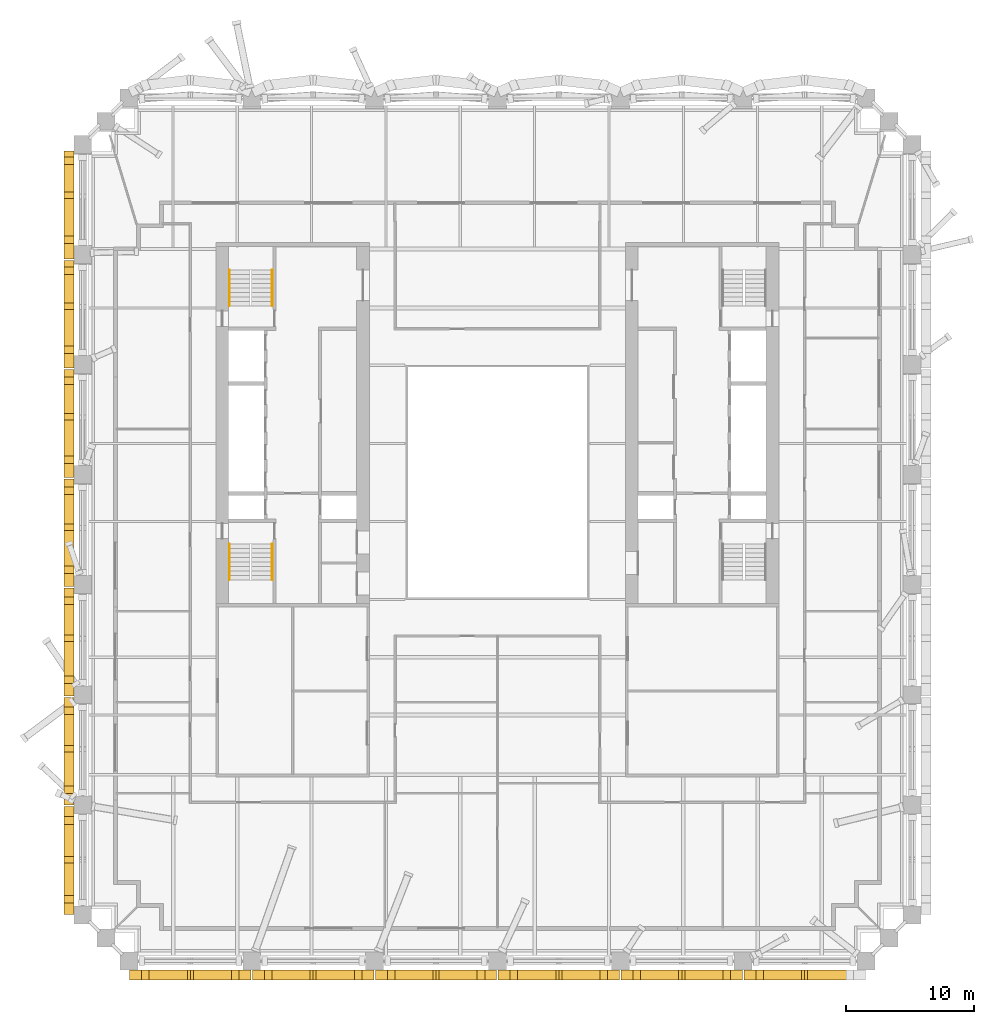
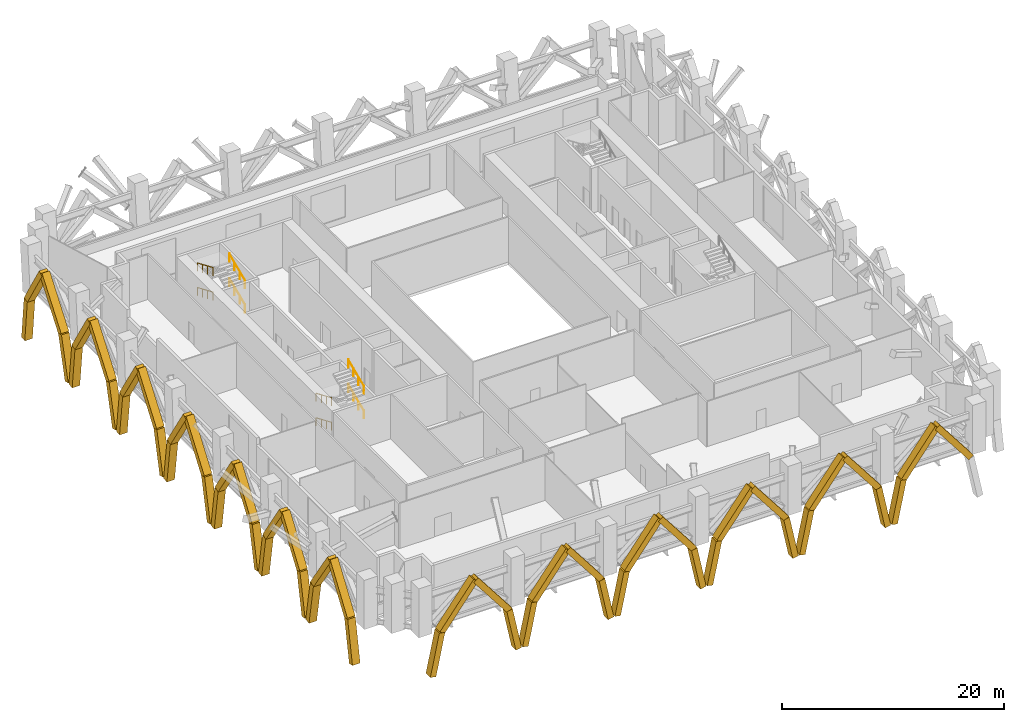
# One storey, part 17 of 19: 51 coverings, 8 railings.
"""IFC4 building model written with IfcOpenShell, lengths in metres."""

from ifc_helpers import new_model, si_unit, direction, frame, origin, origin_2d, place, context, subcontext, project, spatial, rectangle, circle, extrude, material, material_profile, profile_set, type_object, element, save


model = new_model("IFC4")

# Units and contexts
model_context = context("Model", 3, precision=1e-05, world=origin(), true_north=direction((0.0, 1.0)))
body_context = subcontext(model_context, "Body", "Model", "MODEL_VIEW")
ifc_project = project(units=[si_unit("LENGTHUNIT", "METRE"), si_unit("AREAUNIT", "SQUARE_METRE"), si_unit("VOLUMEUNIT", "CUBIC_METRE"), si_unit("PLANEANGLEUNIT", "RADIAN"), si_unit("MASSUNIT", "GRAM", prefix="KILO")], contexts=[model_context])

# Site, building, storey
site_placement = place(None, origin())
site = spatial("IfcSite", under=ifc_project, at=site_placement, CompositionType="ELEMENT")
building_placement = place(site_placement, origin())
building = spatial("IfcBuilding", under=site, at=building_placement, Name="Ogive Exchange Tower", CompositionType="ELEMENT")
storey_placement = place(building_placement, frame((0.0, 0.0, 94.199951171875)))
storey = spatial("IfcBuildingStorey", under=building, at=storey_placement, Name="L20", CompositionType="ELEMENT", Elevation=94.199951171875)

# Coverings
ifc_material_1 = material(Name="Precast concrete C50/60", Category="concrete")
ifc_material_profile = material_profile(ifc_material_1, rectangle(XDim=0.800048828125, YDim=0.60009765625, at=origin_2d()), Name="RIB 800 x 600")
ifc_profile_set = profile_set([ifc_material_profile], Name="Precast concrete C50/60")
covering_type = type_object("IfcCoveringType", Name="Precast tracery rib 800 x 600 C50/60", PredefinedType="CLADDING", material=ifc_profile_set)
covering_1_placement = place(storey_placement, frame((-28.449951171875, -31.47998046875, -4.199951171875), z_axis=(0.201500178347, 0.0, 0.979488477791), x_axis=(0.0, 1.0, 0.0)))
element("IfcCovering", 1, at=covering_1_placement, inside=storey, type_object=covering_type, Name="Tracery rib 1a", PredefinedType="CLADDING", context=body_context, shape_type="SweptSolid", body=[
    extrude(rectangle(XDim=0.800048828125, YDim=0.60009765625, at=origin_2d()), origin(), (0.0, 0.0, 1.0), 4.645263671875),
])
covering_2_placement = place(storey_placement, frame((-27.513916015625, -31.47998046875, 0.35009765625), z_axis=(0.611226297633, 0.0, 0.791455881955), x_axis=(0.0, 1.0, 0.0)))
element("IfcCovering", 2, at=covering_2_placement, inside=storey, type_object=covering_type, Name="Tracery rib 1a", PredefinedType="CLADDING", context=body_context, shape_type="SweptSolid", body=[
    extrude(rectangle(XDim=0.800048828125, YDim=0.60009765625, at=origin_2d()), origin(), (0.0, 0.0, 1.0), 5.7490234375),
])
covering_3_placement = place(storey_placement, frame((-19.550048828125, -31.47998046875, -4.199951171875), z_axis=(-0.201500178347, 0.0, 0.979488477791), x_axis=(0.0, -1.0, 0.0)))
element("IfcCovering", 3, at=covering_3_placement, inside=storey, type_object=covering_type, Name="Tracery rib 1b", PredefinedType="CLADDING", context=body_context, shape_type="SweptSolid", body=[
    extrude(rectangle(XDim=0.800048828125, YDim=0.60009765625, at=origin_2d()), origin(), (0.0, 0.0, 1.0), 4.645263671875),
])
covering_4_placement = place(storey_placement, frame((-20.486083984375, -31.47998046875, 0.35009765625), z_axis=(-0.611226297633, 0.0, 0.791455881955), x_axis=(0.0, -1.0, 0.0)))
element("IfcCovering", 4, at=covering_4_placement, inside=storey, type_object=covering_type, Name="Tracery rib 1b", PredefinedType="CLADDING", context=body_context, shape_type="SweptSolid", body=[
    extrude(rectangle(XDim=0.800048828125, YDim=0.60009765625, at=origin_2d()), origin(), (0.0, 0.0, 1.0), 5.7490234375),
])
covering_5_placement = place(storey_placement, frame((-18.85009765625, -31.47998046875, -4.199951171875), z_axis=(0.201500178347, 0.0, 0.979488477791), x_axis=(0.0, 1.0, 0.0)))
element("IfcCovering", 5, at=covering_5_placement, inside=storey, type_object=covering_type, Name="Tracery rib 2a", PredefinedType="CLADDING", context=body_context, shape_type="SweptSolid", body=[
    extrude(rectangle(XDim=0.800048828125, YDim=0.60009765625, at=origin_2d()), origin(), (0.0, 0.0, 1.0), 4.645263671875),
])
covering_6_placement = place(storey_placement, frame((-17.9140625, -31.47998046875, 0.35009765625), z_axis=(0.611252897975, 0.0, 0.791435338305), x_axis=(0.0, 1.0, 0.0)))
element("IfcCovering", 6, at=covering_6_placement, inside=storey, type_object=covering_type, Name="Tracery rib 2a", PredefinedType="CLADDING", context=body_context, shape_type="SweptSolid", body=[
    extrude(rectangle(XDim=0.800048828125, YDim=0.60009765625, at=origin_2d()), origin(), (0.0, 0.0, 1.0), 5.7490234375),
])
covering_7_placement = place(storey_placement, frame((-9.949951171875, -31.47998046875, -4.199951171875), z_axis=(-0.201500178347, 0.0, 0.979488477791), x_axis=(0.0, -1.0, 0.0)))
element("IfcCovering", 7, at=covering_7_placement, inside=storey, type_object=covering_type, Name="Tracery rib 2b", PredefinedType="CLADDING", context=body_context, shape_type="SweptSolid", body=[
    extrude(rectangle(XDim=0.800048828125, YDim=0.60009765625, at=origin_2d()), origin(), (0.0, 0.0, 1.0), 4.645263671875),
])
covering_8_placement = place(storey_placement, frame((-10.885986328125, -31.47998046875, 0.35009765625), z_axis=(-0.611226297633, 0.0, 0.791455881955), x_axis=(0.0, -1.0, 0.0)))
element("IfcCovering", 8, at=covering_8_placement, inside=storey, type_object=covering_type, Name="Tracery rib 2b", PredefinedType="CLADDING", context=body_context, shape_type="SweptSolid", body=[
    extrude(rectangle(XDim=0.800048828125, YDim=0.60009765625, at=origin_2d()), origin(), (0.0, 0.0, 1.0), 5.7490234375),
])
covering_9_placement = place(storey_placement, frame((-9.25, -31.47998046875, -4.199951171875), z_axis=(0.201500178347, 0.0, 0.979488477791), x_axis=(0.0, 1.0, 0.0)))
element("IfcCovering", 9, at=covering_9_placement, inside=storey, type_object=covering_type, Name="Tracery rib 3a", PredefinedType="CLADDING", context=body_context, shape_type="SweptSolid", body=[
    extrude(rectangle(XDim=0.800048828125, YDim=0.60009765625, at=origin_2d()), origin(), (0.0, 0.0, 1.0), 4.645263671875),
])
covering_10_placement = place(storey_placement, frame((-8.31396484375, -31.47998046875, 0.35009765625), z_axis=(0.611226297633, 0.0, 0.791455881955), x_axis=(0.0, 1.0, 0.0)))
element("IfcCovering", 10, at=covering_10_placement, inside=storey, type_object=covering_type, Name="Tracery rib 3a", PredefinedType="CLADDING", context=body_context, shape_type="SweptSolid", body=[
    extrude(rectangle(XDim=0.800048828125, YDim=0.60009765625, at=origin_2d()), origin(), (0.0, 0.0, 1.0), 5.7490234375),
])
covering_11_placement = place(storey_placement, frame((-0.35009765625, -31.47998046875, -4.199951171875), z_axis=(-0.201449755323, 0.0, 0.979498849453), x_axis=(0.0, -1.0, 0.0)))
element("IfcCovering", 11, at=covering_11_placement, inside=storey, type_object=covering_type, Name="Tracery rib 3b", PredefinedType="CLADDING", context=body_context, shape_type="SweptSolid", body=[
    extrude(rectangle(XDim=0.800048828125, YDim=0.60009765625, at=origin_2d()), origin(), (0.0, 0.0, 1.0), 4.645263671875),
])
covering_12_placement = place(storey_placement, frame((-1.285888671875, -31.47998046875, 0.35009765625), z_axis=(-0.611252897975, 0.0, 0.791435338305), x_axis=(0.0, -1.0, 0.0)))
element("IfcCovering", 12, at=covering_12_placement, inside=storey, type_object=covering_type, Name="Tracery rib 3b", PredefinedType="CLADDING", context=body_context, shape_type="SweptSolid", body=[
    extrude(rectangle(XDim=0.800048828125, YDim=0.60009765625, at=origin_2d()), origin(), (0.0, 0.0, 1.0), 5.7490234375),
])
covering_13_placement = place(storey_placement, frame((0.35009765625, -31.47998046875, -4.199951171875), z_axis=(0.201449755323, 0.0, 0.979498849453), x_axis=(0.0, 1.0, 0.0)))
element("IfcCovering", 13, at=covering_13_placement, inside=storey, type_object=covering_type, Name="Tracery rib 4a", PredefinedType="CLADDING", context=body_context, shape_type="SweptSolid", body=[
    extrude(rectangle(XDim=0.800048828125, YDim=0.60009765625, at=origin_2d()), origin(), (0.0, 0.0, 1.0), 4.645263671875),
])
covering_14_placement = place(storey_placement, frame((1.285888671875, -31.47998046875, 0.35009765625), z_axis=(0.611252897975, 0.0, 0.791435338305), x_axis=(0.0, 1.0, 0.0)))
element("IfcCovering", 14, at=covering_14_placement, inside=storey, type_object=covering_type, Name="Tracery rib 4a", PredefinedType="CLADDING", context=body_context, shape_type="SweptSolid", body=[
    extrude(rectangle(XDim=0.800048828125, YDim=0.60009765625, at=origin_2d()), origin(), (0.0, 0.0, 1.0), 5.7490234375),
])
covering_15_placement = place(storey_placement, frame((9.25, -31.47998046875, -4.199951171875), z_axis=(-0.201500178347, 0.0, 0.979488477791), x_axis=(0.0, -1.0, 0.0)))
element("IfcCovering", 15, at=covering_15_placement, inside=storey, type_object=covering_type, Name="Tracery rib 4b", PredefinedType="CLADDING", context=body_context, shape_type="SweptSolid", body=[
    extrude(rectangle(XDim=0.800048828125, YDim=0.60009765625, at=origin_2d()), origin(), (0.0, 0.0, 1.0), 4.645263671875),
])
covering_16_placement = place(storey_placement, frame((8.31396484375, -31.47998046875, 0.35009765625), z_axis=(-0.611226297633, 0.0, 0.791455881955), x_axis=(0.0, -1.0, 0.0)))
element("IfcCovering", 16, at=covering_16_placement, inside=storey, type_object=covering_type, Name="Tracery rib 4b", PredefinedType="CLADDING", context=body_context, shape_type="SweptSolid", body=[
    extrude(rectangle(XDim=0.800048828125, YDim=0.60009765625, at=origin_2d()), origin(), (0.0, 0.0, 1.0), 5.7490234375),
])
covering_17_placement = place(storey_placement, frame((9.949951171875, -31.47998046875, -4.199951171875), z_axis=(0.201500178347, 0.0, 0.979488477791), x_axis=(0.0, 1.0, 0.0)))
element("IfcCovering", 17, at=covering_17_placement, inside=storey, type_object=covering_type, Name="Tracery rib 5a", PredefinedType="CLADDING", context=body_context, shape_type="SweptSolid", body=[
    extrude(rectangle(XDim=0.800048828125, YDim=0.60009765625, at=origin_2d()), origin(), (0.0, 0.0, 1.0), 4.645263671875),
])
covering_18_placement = place(storey_placement, frame((10.885986328125, -31.47998046875, 0.35009765625), z_axis=(0.611226297633, 0.0, 0.791455881955), x_axis=(0.0, 1.0, 0.0)))
element("IfcCovering", 18, at=covering_18_placement, inside=storey, type_object=covering_type, Name="Tracery rib 5a", PredefinedType="CLADDING", context=body_context, shape_type="SweptSolid", body=[
    extrude(rectangle(XDim=0.800048828125, YDim=0.60009765625, at=origin_2d()), origin(), (0.0, 0.0, 1.0), 5.7490234375),
])
covering_19_placement = place(storey_placement, frame((18.85009765625, -31.47998046875, -4.199951171875), z_axis=(-0.201500178347, 0.0, 0.979488477791), x_axis=(0.0, -1.0, 0.0)))
element("IfcCovering", 19, at=covering_19_placement, inside=storey, type_object=covering_type, Name="Tracery rib 5b", PredefinedType="CLADDING", context=body_context, shape_type="SweptSolid", body=[
    extrude(rectangle(XDim=0.800048828125, YDim=0.60009765625, at=origin_2d()), origin(), (0.0, 0.0, 1.0), 4.645263671875),
])
covering_20_placement = place(storey_placement, frame((17.9140625, -31.47998046875, 0.35009765625), z_axis=(-0.611252897975, 0.0, 0.791435338305), x_axis=(0.0, -1.0, 0.0)))
element("IfcCovering", 20, at=covering_20_placement, inside=storey, type_object=covering_type, Name="Tracery rib 5b", PredefinedType="CLADDING", context=body_context, shape_type="SweptSolid", body=[
    extrude(rectangle(XDim=0.800048828125, YDim=0.60009765625, at=origin_2d()), origin(), (0.0, 0.0, 1.0), 5.7490234375),
])
covering_21_placement = place(storey_placement, frame((19.550048828125, -31.47998046875, -4.199951171875), z_axis=(0.201500178347, 0.0, 0.979488477791), x_axis=(0.0, 1.0, 0.0)))
element("IfcCovering", 21, at=covering_21_placement, inside=storey, type_object=covering_type, Name="Tracery rib 6a", PredefinedType="CLADDING", context=body_context, shape_type="SweptSolid", body=[
    extrude(rectangle(XDim=0.800048828125, YDim=0.60009765625, at=origin_2d()), origin(), (0.0, 0.0, 1.0), 4.645263671875),
])
for number, where, z_axis, x_axis, name in (
    (22, (20.486083984375, -31.47998046875, 0.35009765625), (0.611226297633, 0.0, 0.791455881955), (0.0, 1.0, 0.0), "Tracery rib 6a"),
    (23, (27.513916015625, -31.47998046875, 0.35009765625), (-0.611226297633, 0.0, 0.791455881955), (0.0, -1.0, 0.0), "Tracery rib 6b"),
):
    element("IfcCovering", number, at=place(storey_placement, frame(where, z_axis=z_axis, x_axis=x_axis)), inside=storey, type_object=covering_type, Name=name, PredefinedType="CLADDING", context=body_context, shape_type="SweptSolid", body=[
        extrude(rectangle(XDim=0.800048828125, YDim=0.60009765625, at=origin_2d()), origin(), (0.0, 0.0, 1.0), 5.7490234375),
    ])
covering_22_placement = place(storey_placement, frame((-33.47998046875, 32.576904296875, -4.199951171875), z_axis=(0.0, -0.097986240125, 0.995187769592), x_axis=(1.0, 0.0, 0.0)))
element("IfcCovering", 24, at=covering_22_placement, inside=storey, type_object=covering_type, Name="Tracery rib 26a", PredefinedType="CLADDING", context=body_context, shape_type="SweptSolid", body=[
    extrude(rectangle(XDim=0.800048828125, YDim=0.60009765625, at=origin_2d()), origin(), (0.0, 0.0, 1.0), 4.572021484375),
])
covering_23_placement = place(storey_placement, frame((-33.47998046875, 32.12890625, 0.35009765625), z_axis=(0.0, -0.510309513922, 0.859990813905), x_axis=(1.0, 0.0, 0.0)))
element("IfcCovering", 25, at=covering_23_placement, inside=storey, type_object=covering_type, Name="Tracery rib 26a", PredefinedType="CLADDING", context=body_context, shape_type="SweptSolid", body=[
    extrude(rectangle(XDim=0.800048828125, YDim=0.60009765625, at=origin_2d()), origin(), (0.0, 0.0, 1.0), 5.290771484375),
])
covering_24_placement = place(storey_placement, frame((-33.47998046875, 24.7451171875, -4.199951171875), z_axis=(0.0, 0.258153034575, 0.966104037224), x_axis=(-1.0, 0.0, 0.0)))
element("IfcCovering", 26, at=covering_24_placement, inside=storey, type_object=covering_type, Name="Tracery rib 26b", PredefinedType="CLADDING", context=body_context, shape_type="SweptSolid", body=[
    extrude(rectangle(XDim=0.800048828125, YDim=0.60009765625, at=origin_2d()), origin(), (0.0, 0.0, 1.0), 4.709716796875),
])
covering_25_placement = place(storey_placement, frame((-33.47998046875, 25.9609375, 0.35009765625), z_axis=(0.0, 0.60618849371, 0.79532101072), x_axis=(-1.0, 0.0, 0.0)))
element("IfcCovering", 27, at=covering_25_placement, inside=storey, type_object=covering_type, Name="Tracery rib 26b", PredefinedType="CLADDING", context=body_context, shape_type="SweptSolid", body=[
    extrude(rectangle(XDim=0.800048828125, YDim=0.60009765625, at=origin_2d()), origin(), (0.0, 0.0, 1.0), 5.720947265625),
])
covering_26_placement = place(storey_placement, frame((-33.47998046875, 24.044921875, -4.199951171875), z_axis=(0.0, -0.110706610525, 0.993853131195), x_axis=(1.0, 0.0, 0.0)))
element("IfcCovering", 28, at=covering_26_placement, inside=storey, type_object=covering_type, Name="Tracery rib 27a", PredefinedType="CLADDING", context=body_context, shape_type="SweptSolid", body=[
    extrude(rectangle(XDim=0.800048828125, YDim=0.60009765625, at=origin_2d()), origin(), (0.0, 0.0, 1.0), 4.578125),
])
covering_27_placement = place(storey_placement, frame((-33.47998046875, 23.5380859375, 0.35009765625), z_axis=(0.0, -0.518497951116, 0.855078870449), x_axis=(1.0, 0.0, 0.0)))
element("IfcCovering", 29, at=covering_27_placement, inside=storey, type_object=covering_type, Name="Tracery rib 27a", PredefinedType="CLADDING", context=body_context, shape_type="SweptSolid", body=[
    extrude(rectangle(XDim=0.800048828125, YDim=0.60009765625, at=origin_2d()), origin(), (0.0, 0.0, 1.0), 5.3212890625),
])
covering_28_placement = place(storey_placement, frame((-33.47998046875, 16.2119140625, -4.199951171875), z_axis=(0.0, 0.246436861221, 0.9691588484), x_axis=(-1.0, 0.0, 0.0)))
element("IfcCovering", 30, at=covering_28_placement, inside=storey, type_object=covering_type, Name="Tracery rib 27b", PredefinedType="CLADDING", context=body_context, shape_type="SweptSolid", body=[
    extrude(rectangle(XDim=0.800048828125, YDim=0.60009765625, at=origin_2d()), origin(), (0.0, 0.0, 1.0), 4.69482421875),
])
covering_29_placement = place(storey_placement, frame((-33.47998046875, 17.368896484375, 0.35009765625), z_axis=(0.0, 0.59973204482, 0.800200896285), x_axis=(-1.0, 0.0, 0.0)))
element("IfcCovering", 31, at=covering_29_placement, inside=storey, type_object=covering_type, Name="Tracery rib 27b", PredefinedType="CLADDING", context=body_context, shape_type="SweptSolid", body=[
    extrude(rectangle(XDim=0.800048828125, YDim=0.60009765625, at=origin_2d()), origin(), (0.0, 0.0, 1.0), 5.68603515625),
])
covering_30_placement = place(storey_placement, frame((-33.47998046875, 15.511962890625, -4.199951171875), z_axis=(0.0, -0.123425244267, 0.992353872909), x_axis=(1.0, 0.0, 0.0)))
element("IfcCovering", 32, at=covering_30_placement, inside=storey, type_object=covering_type, Name="Tracery rib 28a", PredefinedType="CLADDING", context=body_context, shape_type="SweptSolid", body=[
    extrude(rectangle(XDim=0.800048828125, YDim=0.60009765625, at=origin_2d()), origin(), (0.0, 0.0, 1.0), 4.585205078125),
])
covering_31_placement = place(storey_placement, frame((-33.47998046875, 14.946044921875, 0.35009765625), z_axis=(0.0, -0.526546188709, 0.850146523345), x_axis=(1.0, 0.0, 0.0)))
element("IfcCovering", 33, at=covering_31_placement, inside=storey, type_object=covering_type, Name="Tracery rib 28a", PredefinedType="CLADDING", context=body_context, shape_type="SweptSolid", body=[
    extrude(rectangle(XDim=0.800048828125, YDim=0.60009765625, at=origin_2d()), origin(), (0.0, 0.0, 1.0), 5.35205078125),
])
covering_32_placement = place(storey_placement, frame((-33.47998046875, 7.679931640625, -4.199951171875), z_axis=(0.0, 0.234611640374, 0.972089182226), x_axis=(-1.0, 0.0, 0.0)))
element("IfcCovering", 34, at=covering_32_placement, inside=storey, type_object=covering_type, Name="Tracery rib 28b", PredefinedType="CLADDING", context=body_context, shape_type="SweptSolid", body=[
    extrude(rectangle(XDim=0.800048828125, YDim=0.60009765625, at=origin_2d()), origin(), (0.0, 0.0, 1.0), 4.6806640625),
])
covering_33_placement = place(storey_placement, frame((-33.47998046875, 8.778076171875, 0.35009765625), z_axis=(0.0, 0.592876199846, 0.805293618288), x_axis=(-1.0, 0.0, 0.0)))
element("IfcCovering", 35, at=covering_33_placement, inside=storey, type_object=covering_type, Name="Tracery rib 28b", PredefinedType="CLADDING", context=body_context, shape_type="SweptSolid", body=[
    extrude(rectangle(XDim=0.800048828125, YDim=0.60009765625, at=origin_2d()), origin(), (0.0, 0.0, 1.0), 5.650146484375),
])
covering_34_placement = place(storey_placement, frame((-33.47998046875, 6.97998046875, -4.199951171875), z_axis=(0.0, -0.136083346246, 0.990697392181), x_axis=(1.0, 0.0, 0.0)))
element("IfcCovering", 36, at=covering_34_placement, inside=storey, type_object=covering_type, Name="Tracery rib 29a", PredefinedType="CLADDING", context=body_context, shape_type="SweptSolid", body=[
    extrude(rectangle(XDim=0.800048828125, YDim=0.60009765625, at=origin_2d()), origin(), (0.0, 0.0, 1.0), 4.5927734375),
])
covering_35_placement = place(storey_placement, frame((-33.47998046875, 6.35498046875, 0.35009765625), z_axis=(0.0, -0.534552485486, 0.845135279267), x_axis=(1.0, 0.0, 0.0)))
element("IfcCovering", 37, at=covering_35_placement, inside=storey, type_object=covering_type, Name="Tracery rib 29a", PredefinedType="CLADDING", context=body_context, shape_type="SweptSolid", body=[
    extrude(rectangle(XDim=0.800048828125, YDim=0.60009765625, at=origin_2d()), origin(), (0.0, 0.0, 1.0), 5.3837890625),
])
covering_36_placement = place(storey_placement, frame((-33.47998046875, -0.85302734375, -4.199951171875), z_axis=(0.0, 0.222631627307, 0.974902640535), x_axis=(-1.0, 0.0, 0.0)))
element("IfcCovering", 38, at=covering_36_placement, inside=storey, type_object=covering_type, Name="Tracery rib 29b", PredefinedType="CLADDING", context=body_context, shape_type="SweptSolid", body=[
    extrude(rectangle(XDim=0.800048828125, YDim=0.60009765625, at=origin_2d()), origin(), (0.0, 0.0, 1.0), 4.667236328125),
])
covering_37_placement = place(storey_placement, frame((-33.47998046875, 0.18603515625, 0.35009765625), z_axis=(0.0, 0.586060274769, 0.810267458521), x_axis=(-1.0, 0.0, 0.0)))
element("IfcCovering", 39, at=covering_37_placement, inside=storey, type_object=covering_type, Name="Tracery rib 29b", PredefinedType="CLADDING", context=body_context, shape_type="SweptSolid", body=[
    extrude(rectangle(XDim=0.800048828125, YDim=0.60009765625, at=origin_2d()), origin(), (0.0, 0.0, 1.0), 5.615478515625),
])
covering_38_placement = place(storey_placement, frame((-33.47998046875, -1.552978515625, -4.199951171875), z_axis=(0.0, -0.148675152872, 0.988886089961), x_axis=(1.0, 0.0, 0.0)))
element("IfcCovering", 40, at=covering_38_placement, inside=storey, type_object=covering_type, Name="Tracery rib 30a", PredefinedType="CLADDING", context=body_context, shape_type="SweptSolid", body=[
    extrude(rectangle(XDim=0.800048828125, YDim=0.60009765625, at=origin_2d()), origin(), (0.0, 0.0, 1.0), 4.60107421875),
])
covering_39_placement = place(storey_placement, frame((-33.47998046875, -2.237060546875, 0.35009765625), z_axis=(0.0, -0.542194644932, 0.840252918476), x_axis=(1.0, 0.0, 0.0)))
element("IfcCovering", 41, at=covering_39_placement, inside=storey, type_object=covering_type, Name="Tracery rib 30a", PredefinedType="CLADDING", context=body_context, shape_type="SweptSolid", body=[
    extrude(rectangle(XDim=0.800048828125, YDim=0.60009765625, at=origin_2d()), origin(), (0.0, 0.0, 1.0), 5.4150390625),
])
covering_40_placement = place(storey_placement, frame((-33.47998046875, -9.385009765625, -4.199951171875), z_axis=(0.0, 0.210549906291, 0.977583110002), x_axis=(-1.0, 0.0, 0.0)))
element("IfcCovering", 42, at=covering_40_placement, inside=storey, type_object=covering_type, Name="Tracery rib 30b", PredefinedType="CLADDING", context=body_context, shape_type="SweptSolid", body=[
    extrude(rectangle(XDim=0.800048828125, YDim=0.60009765625, at=origin_2d()), origin(), (0.0, 0.0, 1.0), 4.654296875),
])
covering_41_placement = place(storey_placement, frame((-33.47998046875, -8.405029296875, 0.35009765625), z_axis=(0.0, 0.579088555147, 0.815264647399), x_axis=(-1.0, 0.0, 0.0)))
element("IfcCovering", 43, at=covering_41_placement, inside=storey, type_object=covering_type, Name="Tracery rib 30b", PredefinedType="CLADDING", context=body_context, shape_type="SweptSolid", body=[
    extrude(rectangle(XDim=0.800048828125, YDim=0.60009765625, at=origin_2d()), origin(), (0.0, 0.0, 1.0), 5.5810546875),
])
covering_42_placement = place(storey_placement, frame((-33.47998046875, -10.0849609375, -4.199951171875), z_axis=(0.0, -0.161401363477, 0.986888848791), x_axis=(1.0, 0.0, 0.0)))
element("IfcCovering", 44, at=covering_42_placement, inside=storey, type_object=covering_type, Name="Tracery rib 31a", PredefinedType="CLADDING", context=body_context, shape_type="SweptSolid", body=[
    extrude(rectangle(XDim=0.800048828125, YDim=0.60009765625, at=origin_2d()), origin(), (0.0, 0.0, 1.0), 4.610595703125),
])
covering_43_placement = place(storey_placement, frame((-33.47998046875, -10.8291015625, 0.35009765625), z_axis=(0.0, -0.549798408464, 0.835297378214), x_axis=(1.0, 0.0, 0.0)))
element("IfcCovering", 45, at=covering_43_placement, inside=storey, type_object=covering_type, Name="Tracery rib 31a", PredefinedType="CLADDING", context=body_context, shape_type="SweptSolid", body=[
    extrude(rectangle(XDim=0.800048828125, YDim=0.60009765625, at=origin_2d()), origin(), (0.0, 0.0, 1.0), 5.447265625),
])
covering_44_placement = place(storey_placement, frame((-33.47998046875, -17.91796875, -4.199951171875), z_axis=(0.0, 0.198370934882, 0.980127018398), x_axis=(-1.0, 0.0, 0.0)))
element("IfcCovering", 46, at=covering_44_placement, inside=storey, type_object=covering_type, Name="Tracery rib 31b", PredefinedType="CLADDING", context=body_context, shape_type="SweptSolid", body=[
    extrude(rectangle(XDim=0.800048828125, YDim=0.60009765625, at=origin_2d()), origin(), (0.0, 0.0, 1.0), 4.642333984375),
])
covering_45_placement = place(storey_placement, frame((-33.47998046875, -16.9970703125, 0.35009765625), z_axis=(0.0, 0.572017049821, 0.820241729439), x_axis=(-1.0, 0.0, 0.0)))
element("IfcCovering", 47, at=covering_45_placement, inside=storey, type_object=covering_type, Name="Tracery rib 31b", PredefinedType="CLADDING", context=body_context, shape_type="SweptSolid", body=[
    extrude(rectangle(XDim=0.800048828125, YDim=0.60009765625, at=origin_2d()), origin(), (0.0, 0.0, 1.0), 5.547119140625),
])
covering_46_placement = place(storey_placement, frame((-33.47998046875, -18.617919921875, -4.199951171875), z_axis=(0.0, -0.173586374449, 0.984818648587), x_axis=(1.0, 0.0, 0.0)))
element("IfcCovering", 48, at=covering_46_placement, inside=storey, type_object=covering_type, Name="Tracery rib 32a", PredefinedType="CLADDING", context=body_context, shape_type="SweptSolid", body=[
    extrude(rectangle(XDim=0.800048828125, YDim=0.60009765625, at=origin_2d()), origin(), (0.0, 0.0, 1.0), 4.6201171875),
])
covering_47_placement = place(storey_placement, frame((-33.47998046875, -19.419921875, 0.35009765625), z_axis=(0.0, -0.557452171693, 0.830209055765), x_axis=(1.0, 0.0, 0.0)))
element("IfcCovering", 49, at=covering_47_placement, inside=storey, type_object=covering_type, Name="Tracery rib 32a", PredefinedType="CLADDING", context=body_context, shape_type="SweptSolid", body=[
    extrude(rectangle(XDim=0.800048828125, YDim=0.60009765625, at=origin_2d()), origin(), (0.0, 0.0, 1.0), 5.480712890625),
])
covering_48_placement = place(storey_placement, frame((-33.47998046875, -26.449951171875, -4.199951171875), z_axis=(0.0, 0.186150274042, 0.982521284998), x_axis=(-1.0, 0.0, 0.0)))
element("IfcCovering", 50, at=covering_48_placement, inside=storey, type_object=covering_type, Name="Tracery rib 32b", PredefinedType="CLADDING", context=body_context, shape_type="SweptSolid", body=[
    extrude(rectangle(XDim=0.800048828125, YDim=0.60009765625, at=origin_2d()), origin(), (0.0, 0.0, 1.0), 4.631103515625),
])
covering_49_placement = place(storey_placement, frame((-33.47998046875, -25.587890625, 0.35009765625), z_axis=(0.0, 0.564634699666, 0.82534093315), x_axis=(-1.0, 0.0, 0.0)))
element("IfcCovering", 51, at=covering_49_placement, inside=storey, type_object=covering_type, Name="Tracery rib 32b", PredefinedType="CLADDING", context=body_context, shape_type="SweptSolid", body=[
    extrude(rectangle(XDim=0.800048828125, YDim=0.60009765625, at=origin_2d()), origin(), (0.0, 0.0, 1.0), 5.512939453125),
])

# Railings
ifc_material_2 = material(Name="Stainless steel", Category="steel")
railing_type = type_object("IfcRailingType", Name="Stair handrail 900", PredefinedType="HANDRAIL", material=ifc_material_2)
railing_1_placement = place(storey_placement, frame((-20.949951171875, 2.199951171875, 0.150146484375)))
element("IfcRailing", 52, at=railing_1_placement, inside=storey, type_object=railing_type, Name="L20 ST1 stair handrail 1", PredefinedType="HANDRAIL", context=body_context, shape_type="SweptSolid", body=[
    extrude(circle(Radius=0.02392578125, at=origin_2d()), frame((0.0, 0.0, 0.8759765625), z_axis=(0.0, -0.919549827119, 0.392973428423), x_axis=(1.0, 0.0, 0.0)), (0.0, 0.0, 1.0), 3.053466796875),
    extrude(circle(Radius=0.02099609375, at=origin_2d()), origin(), (0.0, 0.0, 1.0), 0.851806640625),
    extrude(circle(Radius=0.02099609375, at=origin_2d()), frame((0.0, -0.93603515625, 0.39990234375)), (0.0, 0.0, 1.0), 0.851806640625),
    extrude(circle(Radius=0.02099609375, at=origin_2d()), frame((0.0, -1.871826171875, 0.800048828125)), (0.0, 0.0, 1.0), 0.851806640625),
    extrude(circle(Radius=0.02099609375, at=origin_2d()), frame((0.0, -2.807861328125, 1.199951171875)), (0.0, 0.0, 1.0), 0.851806640625),
])
railing_2_placement = place(storey_placement, frame((-17.60009765625, -0.60791015625, 1.5)))
element("IfcRailing", 53, at=railing_2_placement, inside=storey, type_object=railing_type, Name="L20 ST1 stair handrail 2", PredefinedType="HANDRAIL", context=body_context, shape_type="SweptSolid", body=[
    extrude(circle(Radius=0.02392578125, at=origin_2d()), frame((0.0, 0.0, 0.8759765625), z_axis=(0.0, 0.919549827119, 0.392973428423), x_axis=(-1.0, 0.0, 0.0)), (0.0, 0.0, 1.0), 3.053466796875),
    extrude(circle(Radius=0.02099609375, at=origin_2d()), origin(), (0.0, 0.0, 1.0), 0.851806640625),
    extrude(circle(Radius=0.02099609375, at=origin_2d()), frame((0.0, 0.93603515625, 0.39990234375)), (0.0, 0.0, 1.0), 0.851806640625),
    extrude(circle(Radius=0.02099609375, at=origin_2d()), frame((0.0, 1.871826171875, 0.800048828125)), (0.0, 0.0, 1.0), 0.851806640625),
    extrude(circle(Radius=0.02099609375, at=origin_2d()), frame((0.0, 2.807861328125, 1.199951171875)), (0.0, 0.0, 1.0), 0.851806640625),
])
railing_3_placement = place(storey_placement, frame((-20.949951171875, 2.199951171875, 2.85009765625)))
element("IfcRailing", 54, at=railing_3_placement, inside=storey, type_object=railing_type, Name="L20 ST1 stair handrail 3", PredefinedType="HANDRAIL", context=body_context, shape_type="SweptSolid", body=[
    extrude(circle(Radius=0.02392578125, at=origin_2d()), frame((0.0, 0.0, 0.8759765625), z_axis=(0.0, -0.919549827119, 0.392973428423), x_axis=(1.0, 0.0, 0.0)), (0.0, 0.0, 1.0), 3.053466796875),
    extrude(circle(Radius=0.02099609375, at=origin_2d()), origin(), (0.0, 0.0, 1.0), 0.851806640625),
    extrude(circle(Radius=0.02099609375, at=origin_2d()), frame((0.0, -0.93603515625, 0.39990234375)), (0.0, 0.0, 1.0), 0.851806640625),
    extrude(circle(Radius=0.02099609375, at=origin_2d()), frame((0.0, -1.871826171875, 0.800048828125)), (0.0, 0.0, 1.0), 0.851806640625),
    extrude(circle(Radius=0.02099609375, at=origin_2d()), frame((0.0, -2.807861328125, 1.199951171875)), (0.0, 0.0, 1.0), 0.851806640625),
])
railing_4_placement = place(storey_placement, frame((-17.60009765625, -0.60791015625, 4.199951171875)))
element("IfcRailing", 55, at=railing_4_placement, inside=storey, type_object=railing_type, Name="L20 ST1 stair handrail 4", PredefinedType="HANDRAIL", context=body_context, shape_type="SweptSolid", body=[
    extrude(circle(Radius=0.02392578125, at=origin_2d()), frame((0.0, 0.0, 0.8759765625), z_axis=(0.0, 0.919520933507, 0.393041032008), x_axis=(-1.0, 0.0, 0.0)), (0.0, 0.0, 1.0), 3.0537109375),
    extrude(circle(Radius=0.02099609375, at=origin_2d()), origin(), (0.0, 0.0, 1.0), 0.851806640625),
    extrude(circle(Radius=0.02099609375, at=origin_2d()), frame((0.0, 0.93603515625, 0.400146484375)), (0.0, 0.0, 1.0), 0.851806640625),
    extrude(circle(Radius=0.02099609375, at=origin_2d()), frame((0.0, 1.871826171875, 0.800048828125)), (0.0, 0.0, 1.0), 0.851806640625),
    extrude(circle(Radius=0.02099609375, at=origin_2d()), frame((0.0, 2.807861328125, 1.2001953125)), (0.0, 0.0, 1.0), 0.851806640625),
])
railing_5_placement = place(storey_placement, frame((-17.60009765625, 20.800048828125, 0.150146484375)))
element("IfcRailing", 56, at=railing_5_placement, inside=storey, type_object=railing_type, Name="L20 ST2 stair handrail 1", PredefinedType="HANDRAIL", context=body_context, shape_type="SweptSolid", body=[
    extrude(circle(Radius=0.02392578125, at=origin_2d()), frame((0.0, 0.0, 0.8759765625), z_axis=(0.0, 0.919549827119, 0.392973428423), x_axis=(-1.0, 0.0, 0.0)), (0.0, 0.0, 1.0), 3.053466796875),
    extrude(circle(Radius=0.02099609375, at=origin_2d()), origin(), (0.0, 0.0, 1.0), 0.851806640625),
    extrude(circle(Radius=0.02099609375, at=origin_2d()), frame((0.0, 0.93603515625, 0.39990234375)), (0.0, 0.0, 1.0), 0.851806640625),
    extrude(circle(Radius=0.02099609375, at=origin_2d()), frame((0.0, 1.871826171875, 0.800048828125)), (0.0, 0.0, 1.0), 0.851806640625),
    extrude(circle(Radius=0.02099609375, at=origin_2d()), frame((0.0, 2.807861328125, 1.199951171875)), (0.0, 0.0, 1.0), 0.851806640625),
])
railing_6_placement = place(storey_placement, frame((-20.949951171875, 23.60791015625, 1.5)))
element("IfcRailing", 57, at=railing_6_placement, inside=storey, type_object=railing_type, Name="L20 ST2 stair handrail 2", PredefinedType="HANDRAIL", context=body_context, shape_type="SweptSolid", body=[
    extrude(circle(Radius=0.02392578125, at=origin_2d()), frame((0.0, 0.0, 0.8759765625), z_axis=(0.0, -0.919549827119, 0.392973428423), x_axis=(1.0, 0.0, 0.0)), (0.0, 0.0, 1.0), 3.053466796875),
    extrude(circle(Radius=0.02099609375, at=origin_2d()), origin(), (0.0, 0.0, 1.0), 0.851806640625),
    extrude(circle(Radius=0.02099609375, at=origin_2d()), frame((0.0, -0.93603515625, 0.39990234375)), (0.0, 0.0, 1.0), 0.851806640625),
    extrude(circle(Radius=0.02099609375, at=origin_2d()), frame((0.0, -1.871826171875, 0.800048828125)), (0.0, 0.0, 1.0), 0.851806640625),
    extrude(circle(Radius=0.02099609375, at=origin_2d()), frame((0.0, -2.807861328125, 1.199951171875)), (0.0, 0.0, 1.0), 0.851806640625),
])
railing_7_placement = place(storey_placement, frame((-17.60009765625, 20.800048828125, 2.85009765625)))
element("IfcRailing", 58, at=railing_7_placement, inside=storey, type_object=railing_type, Name="L20 ST2 stair handrail 3", PredefinedType="HANDRAIL", context=body_context, shape_type="SweptSolid", body=[
    extrude(circle(Radius=0.02392578125, at=origin_2d()), frame((0.0, 0.0, 0.8759765625), z_axis=(0.0, 0.919549827119, 0.392973428423), x_axis=(-1.0, 0.0, 0.0)), (0.0, 0.0, 1.0), 3.053466796875),
    extrude(circle(Radius=0.02099609375, at=origin_2d()), origin(), (0.0, 0.0, 1.0), 0.851806640625),
    extrude(circle(Radius=0.02099609375, at=origin_2d()), frame((0.0, 0.93603515625, 0.39990234375)), (0.0, 0.0, 1.0), 0.851806640625),
    extrude(circle(Radius=0.02099609375, at=origin_2d()), frame((0.0, 1.871826171875, 0.800048828125)), (0.0, 0.0, 1.0), 0.851806640625),
    extrude(circle(Radius=0.02099609375, at=origin_2d()), frame((0.0, 2.807861328125, 1.199951171875)), (0.0, 0.0, 1.0), 0.851806640625),
])
railing_8_placement = place(storey_placement, frame((-20.949951171875, 23.60791015625, 4.199951171875)))
element("IfcRailing", 59, at=railing_8_placement, inside=storey, type_object=railing_type, Name="L20 ST2 stair handrail 4", PredefinedType="HANDRAIL", context=body_context, shape_type="SweptSolid", body=[
    extrude(circle(Radius=0.02392578125, at=origin_2d()), frame((0.0, 0.0, 0.8759765625), z_axis=(0.0, -0.919520933507, 0.393041032008), x_axis=(1.0, 0.0, 0.0)), (0.0, 0.0, 1.0), 3.0537109375),
    extrude(circle(Radius=0.02099609375, at=origin_2d()), origin(), (0.0, 0.0, 1.0), 0.851806640625),
    extrude(circle(Radius=0.02099609375, at=origin_2d()), frame((0.0, -0.93603515625, 0.400146484375)), (0.0, 0.0, 1.0), 0.851806640625),
    extrude(circle(Radius=0.02099609375, at=origin_2d()), frame((0.0, -1.871826171875, 0.800048828125)), (0.0, 0.0, 1.0), 0.851806640625),
    extrude(circle(Radius=0.02099609375, at=origin_2d()), frame((0.0, -2.807861328125, 1.2001953125)), (0.0, 0.0, 1.0), 0.851806640625),
])

save(model, "model.ifc")
